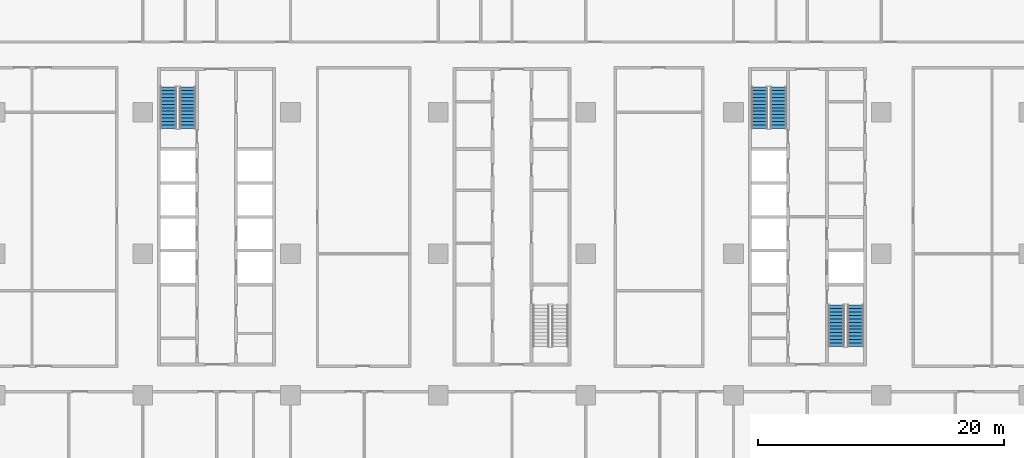
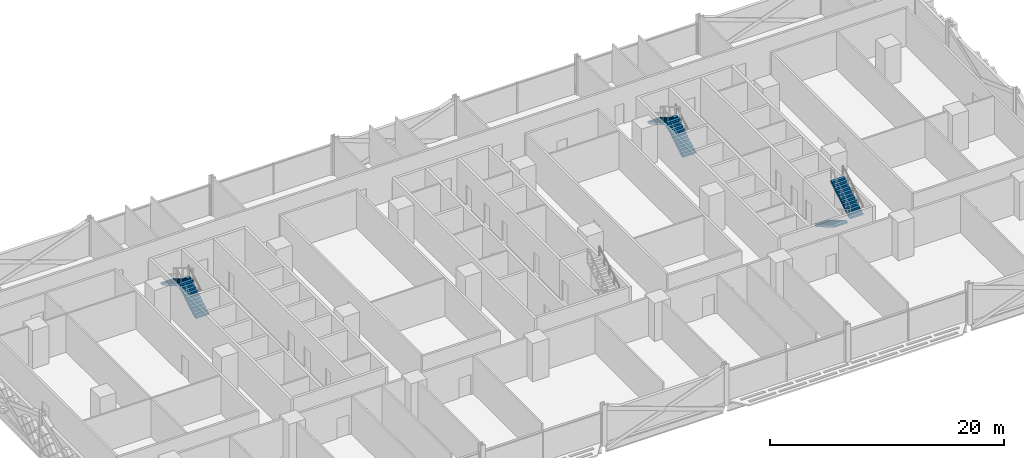
# One storey, part 16 of 29: 6 stair flights, 3 elements without a shape of their own.
"""IFC4 building model written with IfcOpenShell, lengths in metres."""

from ifc_helpers import new_model, si_unit, direction, frame, origin, place, context, subcontext, project, spatial, polyline, outline, extrude, material, type_object, element, aggregate, save


model = new_model("IFC4")

# Units and contexts
model_context = context("Model", 3, precision=1e-05, world=origin(), true_north=direction((0.0, 1.0)))
body_context = subcontext(model_context, "Body", "Model", "MODEL_VIEW")
ifc_project = project(units=[si_unit("LENGTHUNIT", "METRE"), si_unit("AREAUNIT", "SQUARE_METRE"), si_unit("VOLUMEUNIT", "CUBIC_METRE"), si_unit("PLANEANGLEUNIT", "RADIAN"), si_unit("MASSUNIT", "GRAM", prefix="KILO")], contexts=[model_context])

# Site, building, storey
site_placement = place(None, origin())
site = spatial("IfcSite", under=ifc_project, at=site_placement, CompositionType="ELEMENT")
building_placement = place(site_placement, origin())
building = spatial("IfcBuilding", under=site, at=building_placement, Name="Mahtab Terrace Research Tower", CompositionType="ELEMENT")
storey_placement = place(building_placement, frame((0.0, 0.0, 20.10009765625)))
storey = spatial("IfcBuildingStorey", under=building, at=storey_placement, Name="L04", CompositionType="ELEMENT", Elevation=20.10009765625)

# Stair, stair flights
ifc_material_1 = material(Name="Exit stair half-turn")
stair_type = type_object("IfcStairType", Name="Exit stair half-turn", PredefinedType="HALF_TURN_STAIR", material=ifc_material_1)
stair_1_placement = place(storey_placement, origin())
stair_1 = element("IfcStair", 1, at=stair_1_placement, inside=storey, type_object=stair_type, Name="L04 Protected exit stair ST1", PredefinedType="HALF_TURN_STAIR")
ifc_material_2 = material(Name="Concrete C40/50", Category="concrete")
stair_flight_type = type_object("IfcStairFlightType", Name="Exit stair flight 1300", PredefinedType="STRAIGHT", material=ifc_material_2)
stair_flight_1_placement = place(storey_placement, frame((-26.35009765625, 10.175048828125, 0.0), z_axis=(0.0, 0.0, 1.0), x_axis=(0.0, 1.0, 0.0)))
stair_flight_1 = element("IfcStairFlight", 2, at=stair_flight_1_placement, type_object=stair_flight_type, Name="ST1 flight 1", NumberOfRisers=13, NumberOfTreads=12, PredefinedType="STRAIGHT", RiserHeight=0.165384615, TreadLength=0.28, context=body_context, shape_type="SweptSolid", body=[
    extrude(outline(polyline([(0.0, 0.0), (0.0, 0.165283203125), (0.280029296875, 0.165283203125), (0.280029296875, 0.330810546875), (0.56005859375, 0.330810546875), (0.56005859375, 0.49609375), (0.840087890625, 0.49609375), (0.840087890625, 0.66162109375), (1.1201171875, 0.66162109375), (1.1201171875, 0.826904296875), (1.39990234375, 0.826904296875), (1.39990234375, 0.9921875), (1.679931640625, 0.9921875), (1.679931640625, 1.15771484375), (1.9599609375, 1.15771484375), (1.9599609375, 1.322998046875), (2.239990234375, 1.322998046875), (2.239990234375, 1.488525390625), (2.52001953125, 1.488525390625), (2.52001953125, 1.65380859375), (2.800048828125, 1.65380859375), (2.800048828125, 1.8193359375), (3.080078125, 1.8193359375), (3.080078125, 1.984619140625), (3.360107421875, 1.984619140625), (3.360107421875, 2.14990234375), (3.360107421875, 1.810546875), (0.294677734375, 0.0), (0.0, 0.0)])), frame((0.0, 0.64990234375, 0.0), z_axis=(0.0, -1.0, 0.0), x_axis=(1.0, 0.0, 0.0)), (0.0, 0.0, 1.0), 1.300048828125),
])
stair_flight_2_placement = place(storey_placement, frame((-27.89990234375, 13.534912109375, 2.14990234375), z_axis=(0.0, 0.0, 1.0), x_axis=(0.0, -1.0, 0.0)))
stair_flight_2 = element("IfcStairFlight", 3, at=stair_flight_2_placement, type_object=stair_flight_type, Name="ST1 flight 2", NumberOfRisers=13, NumberOfTreads=12, PredefinedType="STRAIGHT", RiserHeight=0.165384615, TreadLength=0.28, context=body_context, shape_type="SweptSolid", body=[
    extrude(outline(polyline([(0.0, 0.0), (0.0, 0.165283203125), (0.280029296875, 0.165283203125), (0.280029296875, 0.330810546875), (0.56005859375, 0.330810546875), (0.56005859375, 0.49609375), (0.840087890625, 0.49609375), (0.840087890625, 0.66162109375), (1.1201171875, 0.66162109375), (1.1201171875, 0.826904296875), (1.39990234375, 0.826904296875), (1.39990234375, 0.9921875), (1.679931640625, 0.9921875), (1.679931640625, 1.15771484375), (1.9599609375, 1.15771484375), (1.9599609375, 1.322998046875), (2.239990234375, 1.322998046875), (2.239990234375, 1.488525390625), (2.52001953125, 1.488525390625), (2.52001953125, 1.65380859375), (2.800048828125, 1.65380859375), (2.800048828125, 1.8193359375), (3.080078125, 1.8193359375), (3.080078125, 1.984619140625), (3.360107421875, 1.984619140625), (3.360107421875, 2.14990234375), (3.360107421875, 1.810546875), (0.294677734375, 0.0), (0.0, 0.0)])), frame((0.0, 0.64990234375, 0.0), z_axis=(0.0, -1.0, 0.0), x_axis=(1.0, 0.0, 0.0)), (0.0, 0.0, 1.0), 1.300048828125),
])
aggregate(stair_1, [stair_flight_1, stair_flight_2])

stair_2_placement = place(storey_placement, origin())
stair_2 = element("IfcStair", 4, at=stair_2_placement, inside=storey, type_object=stair_type, Name="L04 Protected exit stair ST3", PredefinedType="HALF_TURN_STAIR")
stair_flight_3_placement = place(storey_placement, frame((21.64990234375, 10.175048828125, 0.0), z_axis=(0.0, 0.0, 1.0), x_axis=(0.0, 1.0, 0.0)))
stair_flight_3 = element("IfcStairFlight", 5, at=stair_flight_3_placement, type_object=stair_flight_type, Name="ST3 flight 1", NumberOfRisers=13, NumberOfTreads=12, PredefinedType="STRAIGHT", RiserHeight=0.165384615, TreadLength=0.28, context=body_context, shape_type="SweptSolid", body=[
    extrude(outline(polyline([(0.0, 0.0), (0.0, 0.165283203125), (0.280029296875, 0.165283203125), (0.280029296875, 0.330810546875), (0.56005859375, 0.330810546875), (0.56005859375, 0.49609375), (0.840087890625, 0.49609375), (0.840087890625, 0.66162109375), (1.1201171875, 0.66162109375), (1.1201171875, 0.826904296875), (1.39990234375, 0.826904296875), (1.39990234375, 0.9921875), (1.679931640625, 0.9921875), (1.679931640625, 1.15771484375), (1.9599609375, 1.15771484375), (1.9599609375, 1.322998046875), (2.239990234375, 1.322998046875), (2.239990234375, 1.488525390625), (2.52001953125, 1.488525390625), (2.52001953125, 1.65380859375), (2.800048828125, 1.65380859375), (2.800048828125, 1.8193359375), (3.080078125, 1.8193359375), (3.080078125, 1.984619140625), (3.360107421875, 1.984619140625), (3.360107421875, 2.14990234375), (3.360107421875, 1.810546875), (0.294677734375, 0.0), (0.0, 0.0)])), frame((0.0, 0.64990234375, 0.0), z_axis=(0.0, -1.0, 0.0), x_axis=(1.0, 0.0, 0.0)), (0.0, 0.0, 1.0), 1.300048828125),
])
stair_flight_4_placement = place(storey_placement, frame((20.10009765625, 13.534912109375, 2.14990234375), z_axis=(0.0, 0.0, 1.0), x_axis=(0.0, -1.0, 0.0)))
stair_flight_4 = element("IfcStairFlight", 6, at=stair_flight_4_placement, type_object=stair_flight_type, Name="ST3 flight 2", NumberOfRisers=13, NumberOfTreads=12, PredefinedType="STRAIGHT", RiserHeight=0.165384615, TreadLength=0.28, context=body_context, shape_type="SweptSolid", body=[
    extrude(outline(polyline([(0.0, 0.0), (0.0, 0.165283203125), (0.280029296875, 0.165283203125), (0.280029296875, 0.330810546875), (0.56005859375, 0.330810546875), (0.56005859375, 0.49609375), (0.840087890625, 0.49609375), (0.840087890625, 0.66162109375), (1.1201171875, 0.66162109375), (1.1201171875, 0.826904296875), (1.39990234375, 0.826904296875), (1.39990234375, 0.9921875), (1.679931640625, 0.9921875), (1.679931640625, 1.15771484375), (1.9599609375, 1.15771484375), (1.9599609375, 1.322998046875), (2.239990234375, 1.322998046875), (2.239990234375, 1.488525390625), (2.52001953125, 1.488525390625), (2.52001953125, 1.65380859375), (2.800048828125, 1.65380859375), (2.800048828125, 1.8193359375), (3.080078125, 1.8193359375), (3.080078125, 1.984619140625), (3.360107421875, 1.984619140625), (3.360107421875, 2.14990234375), (3.360107421875, 1.810546875), (0.294677734375, 0.0), (0.0, 0.0)])), frame((0.0, 0.64990234375, 0.0), z_axis=(0.0, -1.0, 0.0), x_axis=(1.0, 0.0, 0.0)), (0.0, 0.0, 1.0), 1.300048828125),
])
aggregate(stair_2, [stair_flight_3, stair_flight_4])

stair_3_placement = place(storey_placement, origin())
stair_3 = element("IfcStair", 7, at=stair_3_placement, inside=storey, type_object=stair_type, Name="L04 Protected exit stair ST4", PredefinedType="HALF_TURN_STAIR")
stair_flight_5_placement = place(storey_placement, frame((26.35009765625, -4.175048828125, 0.0), z_axis=(0.0, 0.0, 1.0), x_axis=(0.0, -1.0, 0.0)))
stair_flight_5 = element("IfcStairFlight", 8, at=stair_flight_5_placement, type_object=stair_flight_type, Name="ST4 flight 1", NumberOfRisers=13, NumberOfTreads=12, PredefinedType="STRAIGHT", RiserHeight=0.165384615, TreadLength=0.28, context=body_context, shape_type="SweptSolid", body=[
    extrude(outline(polyline([(0.0, 0.0), (0.0, 0.165283203125), (0.280029296875, 0.165283203125), (0.280029296875, 0.330810546875), (0.56005859375, 0.330810546875), (0.56005859375, 0.49609375), (0.840087890625, 0.49609375), (0.840087890625, 0.66162109375), (1.1201171875, 0.66162109375), (1.1201171875, 0.826904296875), (1.39990234375, 0.826904296875), (1.39990234375, 0.9921875), (1.679931640625, 0.9921875), (1.679931640625, 1.15771484375), (1.9599609375, 1.15771484375), (1.9599609375, 1.322998046875), (2.239990234375, 1.322998046875), (2.239990234375, 1.488525390625), (2.52001953125, 1.488525390625), (2.52001953125, 1.65380859375), (2.800048828125, 1.65380859375), (2.800048828125, 1.8193359375), (3.080078125, 1.8193359375), (3.080078125, 1.984619140625), (3.360107421875, 1.984619140625), (3.360107421875, 2.14990234375), (3.360107421875, 1.810546875), (0.294677734375, 0.0), (0.0, 0.0)])), frame((0.0, 0.64990234375, 0.0), z_axis=(0.0, -1.0, 0.0), x_axis=(1.0, 0.0, 0.0)), (0.0, 0.0, 1.0), 1.300048828125),
])
stair_flight_6_placement = place(storey_placement, frame((27.89990234375, -7.534912109375, 2.14990234375), z_axis=(0.0, 0.0, 1.0), x_axis=(0.0, 1.0, 0.0)))
stair_flight_6 = element("IfcStairFlight", 9, at=stair_flight_6_placement, type_object=stair_flight_type, Name="ST4 flight 2", NumberOfRisers=13, NumberOfTreads=12, PredefinedType="STRAIGHT", RiserHeight=0.165384615, TreadLength=0.28, context=body_context, shape_type="SweptSolid", body=[
    extrude(outline(polyline([(0.0, 0.0), (0.0, 0.165283203125), (0.280029296875, 0.165283203125), (0.280029296875, 0.330810546875), (0.56005859375, 0.330810546875), (0.56005859375, 0.49609375), (0.840087890625, 0.49609375), (0.840087890625, 0.66162109375), (1.1201171875, 0.66162109375), (1.1201171875, 0.826904296875), (1.39990234375, 0.826904296875), (1.39990234375, 0.9921875), (1.679931640625, 0.9921875), (1.679931640625, 1.15771484375), (1.9599609375, 1.15771484375), (1.9599609375, 1.322998046875), (2.239990234375, 1.322998046875), (2.239990234375, 1.488525390625), (2.52001953125, 1.488525390625), (2.52001953125, 1.65380859375), (2.800048828125, 1.65380859375), (2.800048828125, 1.8193359375), (3.080078125, 1.8193359375), (3.080078125, 1.984619140625), (3.360107421875, 1.984619140625), (3.360107421875, 2.14990234375), (3.360107421875, 1.810546875), (0.294677734375, 0.0), (0.0, 0.0)])), frame((0.0, 0.64990234375, 0.0), z_axis=(0.0, -1.0, 0.0), x_axis=(1.0, 0.0, 0.0)), (0.0, 0.0, 1.0), 1.300048828125),
])
aggregate(stair_3, [stair_flight_5, stair_flight_6])

save(model, "model.ifc")
